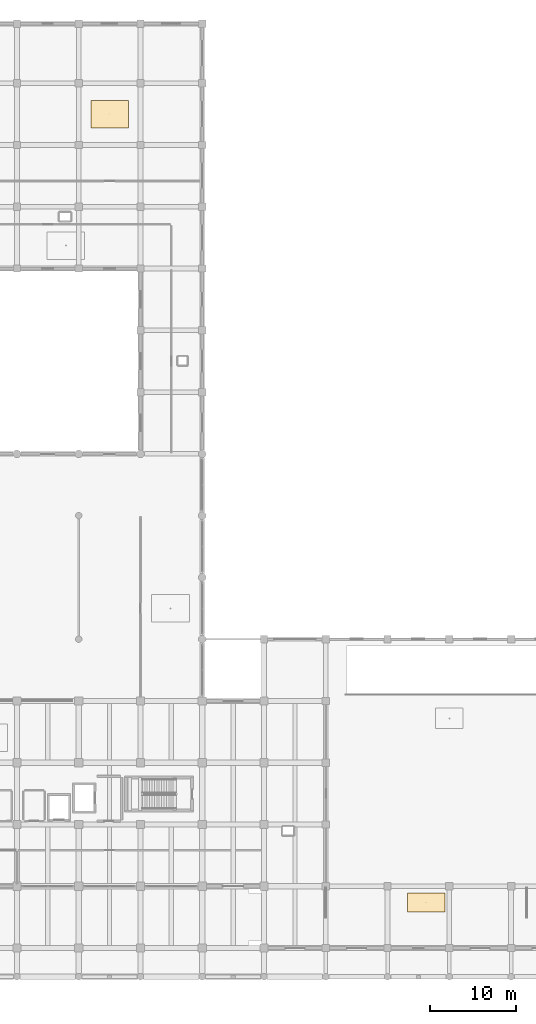
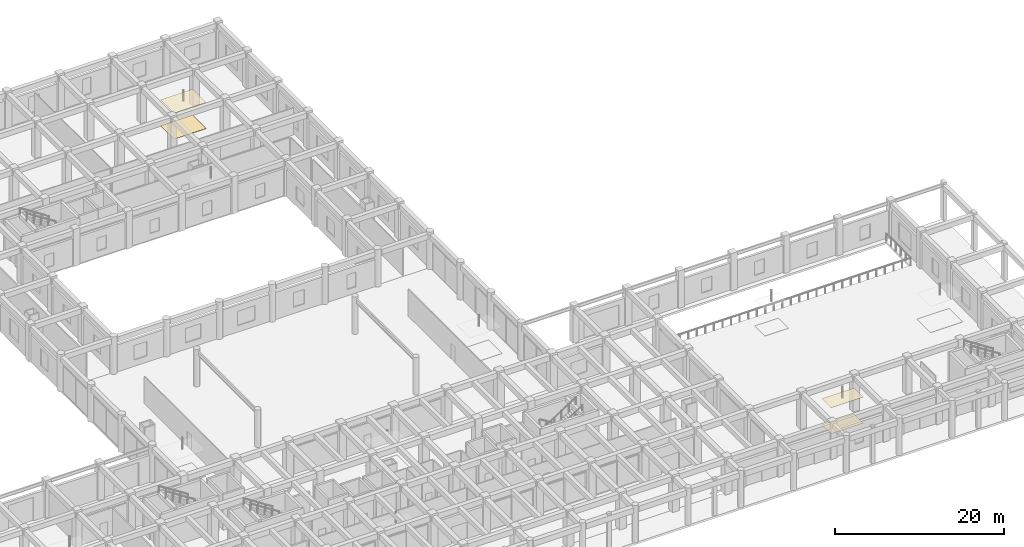
# One storey, part 54 of 56: 4 coverings.
"""IFC4 building model written with IfcOpenShell, lengths in metres."""

from ifc_helpers import new_model, si_unit, direction, frame, origin, origin_2d, place, context, subcontext, project, spatial, rectangle, extrude, material, layer, layer_set, type_object, element, save


model = new_model("IFC4")

# Units and contexts
model_context = context("Model", 3, precision=1e-05, world=origin(), true_north=direction((0.0, 1.0)))
body_context = subcontext(model_context, "Body", "Model", "MODEL_VIEW")
ifc_project = project(units=[si_unit("LENGTHUNIT", "METRE"), si_unit("AREAUNIT", "SQUARE_METRE"), si_unit("VOLUMEUNIT", "CUBIC_METRE"), si_unit("PLANEANGLEUNIT", "RADIAN"), si_unit("MASSUNIT", "GRAM", prefix="KILO")], contexts=[model_context])

# Site, building, storey
site_placement = place(None, origin())
site = spatial("IfcSite", under=ifc_project, at=site_placement, CompositionType="ELEMENT")
building_placement = place(site_placement, origin())
building = spatial("IfcBuilding", under=site, at=building_placement, Name="Kazehaya Institute of Natural Sciences", CompositionType="ELEMENT")
storey_placement = place(building_placement, origin())
storey = spatial("IfcBuildingStorey", under=building, at=storey_placement, Name="L00", CompositionType="ELEMENT", Elevation=0.0)

# Coverings
ifc_material_1 = material(Name="Mineral-fibre acoustic ceiling tile")
ifc_layer_1 = layer(ifc_material_1, 0.02490234375, Name="Mineral-fibre acoustic ceiling tile")
ifc_layer_set_1 = layer_set([ifc_layer_1], Name="Mineral-fibre acoustic ceiling tile")
covering_type_1 = type_object("IfcCoveringType", Name="COV-CEIL-AC", PredefinedType="CEILING", material=ifc_layer_set_1)
covering_1_placement = place(storey_placement, frame((138.300048828125, 12.10009765625, 3.74755859375), z_axis=(0.0, 0.0, 1.0), x_axis=(1.0, 0.0, 0.0)))
element("IfcCovering", 1, at=covering_1_placement, inside=storey, type_object=covering_type_1, Name="L00 Seminar Room ceiling 8", PredefinedType="CEILING", context=body_context, shape_type="SweptSolid", body=[
    extrude(rectangle(XDim=4.39990234375, YDim=2.199951171875, at=origin_2d()), origin(), (0.0, 0.0, 1.0), 0.02490234375),
])
covering_2_placement = place(storey_placement, frame((101.412841796875, 104.00732421875, 3.74755859375), z_axis=(0.0, 0.0, 1.0), x_axis=(1.0, 0.0, 0.0)))
element("IfcCovering", 2, at=covering_2_placement, inside=storey, type_object=covering_type_1, Name="L00 Bioinformatics Modelling Lab ceiling 13", PredefinedType="CEILING", context=body_context, shape_type="SweptSolid", body=[
    extrude(rectangle(XDim=4.39990234375, YDim=3.199951171875, at=origin_2d()), origin(), (0.0, 0.0, 1.0), 0.02490234375),
])
ifc_material_2 = material(Name="Polished Sawara stone terrazzo flooring", Category="masonry")
ifc_layer_2 = layer(ifc_material_2, 0.02001953125, Name="Polished Sawara stone terrazzo flooring", Category="masonry")
ifc_layer_set_2 = layer_set([ifc_layer_2], Name="Polished Sawara stone terrazzo flooring")
covering_type_2 = type_object("IfcCoveringType", Name="COV-FLR-TRZ", PredefinedType="FLOORING", material=ifc_layer_set_2)
covering_3_placement = place(storey_placement, frame((138.300048828125, 12.10009765625, 0.0), z_axis=(0.0, 0.0, 1.0), x_axis=(1.0, 0.0, 0.0)))
element("IfcCovering", 3, at=covering_3_placement, inside=storey, type_object=covering_type_2, Name="L00 Seminar Room finish flooring 8", PredefinedType="FLOORING", context=body_context, shape_type="SweptSolid", body=[
    extrude(rectangle(XDim=4.39990234375, YDim=2.199951171875, at=origin_2d()), origin(), (0.0, 0.0, 1.0), 0.02001953125),
])
covering_4_placement = place(storey_placement, frame((101.412841796875, 104.00732421875, 0.0), z_axis=(0.0, 0.0, 1.0), x_axis=(1.0, 0.0, 0.0)))
element("IfcCovering", 4, at=covering_4_placement, inside=storey, type_object=covering_type_2, Name="L00 Bioinformatics Modelling Lab finish flooring 13", PredefinedType="FLOORING", context=body_context, shape_type="SweptSolid", body=[
    extrude(rectangle(XDim=4.39990234375, YDim=3.199951171875, at=origin_2d()), origin(), (0.0, 0.0, 1.0), 0.02001953125),
])

save(model, "model.ifc")
